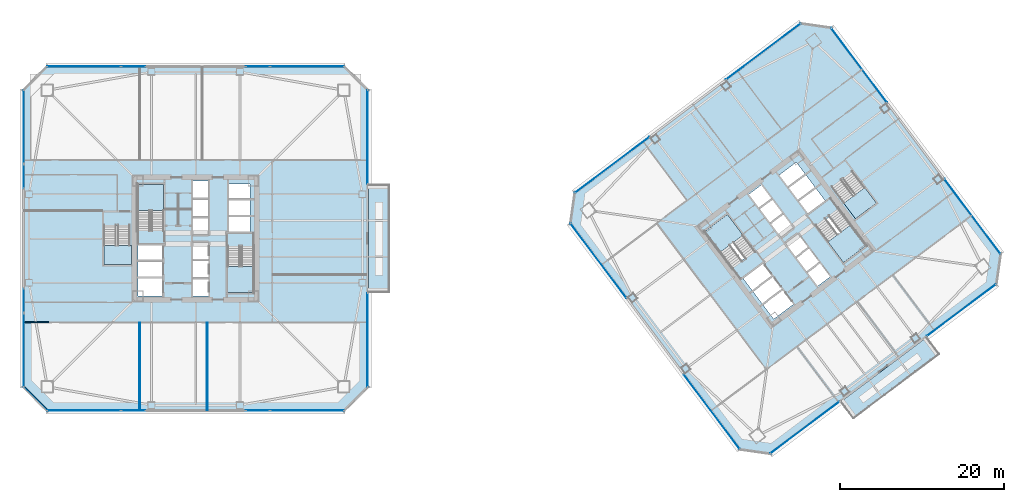
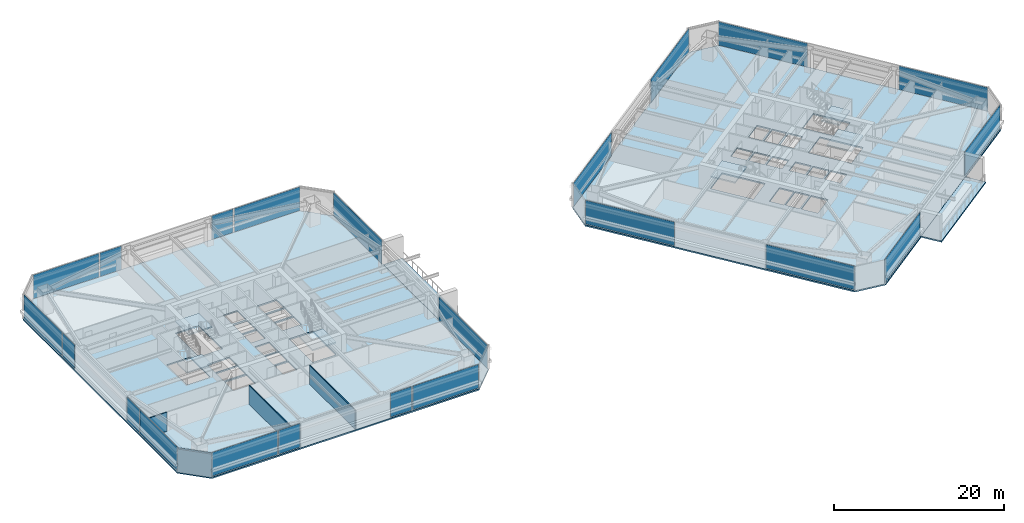
# One storey, part 33 of 44: 22 plates, 10 slabs, 4 walls, 28 elements without a shape of their own.
"""IFC4 building model written with IfcOpenShell, lengths in metres."""

import ifcopenshell
import ifcopenshell.guid

model = None  # the IFC model being written
_history = None  # IfcOwnerHistory: only IFC2X3 demands one
_inside = {}  # id of a spatial element -> (the spatial element, [elements in it])
_under = {}  # id of a project, library or spatial element -> (it, [spatial elements below it])
_declared = {}  # id of a project -> (the project, [libraries it declares])
_typed = {}  # id of a type object -> (the type object, [elements of that type])
_made_of = {}  # id of a material, layer set ... -> (it, [elements and type objects made of it])


def new_model(schema):
    """Start an empty IFC model of exactly this schema.

    Asked for "IFC4X3", IfcOpenShell would pick the latest addendum, in which some entities
    have other attributes; the version numbers below select the first issue.
    IFC2X3 requires an IfcOwnerHistory on every rooted entity: one is made here for all.
    """
    global model, _history
    if schema == "IFC4X3":
        model = ifcopenshell.file(schema_version=(4, 3, 0, 0))
    else:
        model = ifcopenshell.file(schema=schema)
    _inside.clear()
    _under.clear()
    _declared.clear()
    _typed.clear()
    _made_of.clear()
    _history = None
    if model.schema == "IFC2X3":
        org = make("IfcOrganization", Name="unknown")
        user = make(
            "IfcPersonAndOrganization",
            ThePerson=make("IfcPerson", FamilyName="unknown"),
            TheOrganization=org,
        )
        app = make(
            "IfcApplication",
            ApplicationDeveloper=org,
            Version="unknown",
            ApplicationFullName="unknown",
            ApplicationIdentifier="unknown",
        )
        _history = make(
            "IfcOwnerHistory",
            OwningUser=user,
            OwningApplication=app,
            ChangeAction="ADDED",
            CreationDate=0,
        )
    return model


def make(cls, **values):
    """One entity of the class cls with the attributes given. An attribute that is None is left unset."""
    return model.create_entity(
        cls, **{name: value for name, value in values.items() if value is not None}
    )


def rooted(cls, **values):
    """An entity with a GlobalId (a new one), such as an element, a storey or a relation."""
    return make(cls, GlobalId=ifcopenshell.guid.new(), OwnerHistory=_history, **values)


def si_unit(unit_type, name, prefix=None):
    """IfcSIUnit, for example si_unit("LENGTHUNIT", "METRE", prefix="MILLI")."""
    return make("IfcSIUnit", UnitType=unit_type, Prefix=prefix, Name=name)


def assignment(units):
    """IfcUnitAssignment: the units of a project."""
    return None if units is None else make("IfcUnitAssignment", Units=units)


def point(xyz):
    """IfcCartesianPoint."""
    return None if xyz is None else make("IfcCartesianPoint", Coordinates=xyz)


def direction(xyz):
    """IfcDirection."""
    return None if xyz is None else make("IfcDirection", DirectionRatios=xyz)


def frame(location, z_axis=None, x_axis=None):
    """IfcAxis2Placement3D, a coordinate frame: its origin and axes. An axis left out is left unset."""
    return make(
        "IfcAxis2Placement3D",
        Location=point(location),
        Axis=direction(z_axis),
        RefDirection=direction(x_axis),
    )


def frame_2d(location, x_axis=None):
    """IfcAxis2Placement2D, a coordinate frame in the plane: its origin and x axis."""
    return make(
        "IfcAxis2Placement2D", Location=point(location), RefDirection=direction(x_axis)
    )


def origin():
    """The frame at (0, 0, 0) with its axes left unset."""
    return frame((0.0, 0.0, 0.0))


def origin_2d():
    """The frame at (0, 0) in the plane with its x axis left unset."""
    return frame_2d((0.0, 0.0))


def place(relative_to, where):
    """IfcLocalPlacement: puts the frame where relative to a parent placement (None: the world)."""
    return make(
        "IfcLocalPlacement", PlacementRelTo=relative_to, RelativePlacement=where
    )


def context(
    kind, dimensions, precision=None, world=None, true_north=None, identifier=None
):
    """IfcGeometricRepresentationContext, for example the 3D "Model" context."""
    return make(
        "IfcGeometricRepresentationContext",
        ContextIdentifier=identifier,
        ContextType=kind,
        CoordinateSpaceDimension=dimensions,
        Precision=precision,
        WorldCoordinateSystem=world,
        TrueNorth=true_north,
    )


def subcontext(parent, identifier, kind, view, scale=None):
    """IfcGeometricRepresentationSubContext, for example "Body" below "Model"."""
    return make(
        "IfcGeometricRepresentationSubContext",
        ContextIdentifier=identifier,
        ContextType=kind,
        ParentContext=parent,
        TargetScale=scale,
        TargetView=view,
    )


def project(units=None, contexts=None):
    """IfcProject with its units and contexts."""
    return rooted(
        "IfcProject",
        Name="project",
        RepresentationContexts=contexts,
        UnitsInContext=assignment(units),
    )


def spatial(cls, under=None, at=None, **own):
    """A site, building, storey or space (cls), placed at a placement, below another one or the project."""
    s = rooted(cls, ObjectPlacement=at, **own)
    if under is not None:
        _under.setdefault(under.id(), (under, []))[1].append(s)
    return s


def polyline(points):
    """IfcPolyline through the points."""
    return make("IfcPolyline", Points=[point(p) for p in points])


def profile(cls, at=None, kind="AREA", **sizes):
    """A parametric profile (cls). Its sizes go by their IFC names, for example OverallWidth=200.0."""
    return make(cls, ProfileType=kind, Position=at, **sizes)


def rectangle(**sizes):
    """IfcRectangleProfileDef."""
    return profile("IfcRectangleProfileDef", **sizes)


def outline(outer, holes=None, kind="AREA"):
    """IfcArbitraryClosedProfileDef: a profile drawn as a closed curve; with holes, ...WithVoids."""
    if holes is None:
        return make("IfcArbitraryClosedProfileDef", ProfileType=kind, OuterCurve=outer)
    return make(
        "IfcArbitraryProfileDefWithVoids",
        ProfileType=kind,
        OuterCurve=outer,
        InnerCurves=holes,
    )


def extrude(swept, where, along, depth):
    """IfcExtrudedAreaSolid: the profile swept, set in the frame where, extruded along a direction by depth."""
    return make(
        "IfcExtrudedAreaSolid",
        SweptArea=swept,
        Position=where,
        ExtrudedDirection=direction(along),
        Depth=depth,
    )


def shape(context_of_items, identifier, shape_type, items):
    """IfcShapeRepresentation: the items that make up one representation, for example the "Body"."""
    return make(
        "IfcShapeRepresentation",
        ContextOfItems=context_of_items,
        RepresentationIdentifier=identifier,
        RepresentationType=shape_type,
        Items=items,
    )


def material(Name=None, Category=None):
    """IfcMaterial."""
    return make("IfcMaterial", Name=Name, Category=Category)


def layer(
    of_material, thickness, ventilated=None, Name=None, Category=None, Priority=None
):
    """IfcMaterialLayer: one layer of a wall or slab, of a material (None: an air gap)."""
    return make(
        "IfcMaterialLayer",
        Material=of_material,
        LayerThickness=thickness,
        IsVentilated=ventilated,
        Name=Name,
        Category=Category,
        Priority=Priority,
    )


def layer_set(layers, Name=None):
    """IfcMaterialLayerSet."""
    return make("IfcMaterialLayerSet", MaterialLayers=layers, LayerSetName=Name)


def made_of(thing, what):
    """Note that an element or type object is made of a material, layer set ...; save() writes the relation."""
    if what is not None:
        _made_of.setdefault(what.id(), (what, []))[1].append(thing)
    return thing


def type_object(cls, material=None, **own):
    """A type object (cls), such as IfcWallType, which elements share."""
    return made_of(rooted(cls, **own), material)


def element(
    cls,
    number,
    at=None,
    inside=None,
    cuts=None,
    type_object=None,
    material=None,
    context=None,
    identifier="Body",
    shape_type=None,
    held_by="IfcProductDefinitionShape",
    body=None,
    shapes=None,
    **own,
):
    """One element of the class cls, such as IfcWall. Its Tag is "e" and its number.

    at: its placement. inside: the storey or other place that contains it. cuts: it is an
    opening in that element (IfcRelVoidsElement). A single representation is given by context,
    identifier, shape_type and body (its items); several are given by shapes. held_by: the class
    of the entity that holds the representations. save() writes the other relations.
    """
    e = rooted(cls, Tag="e%d" % number, ObjectPlacement=at, **own)
    if body is not None:
        shapes = [shape(context, identifier, shape_type, body)]
    if shapes is not None:
        e.Representation = make(held_by, Representations=shapes)
    if inside is not None:
        _inside.setdefault(inside.id(), (inside, []))[1].append(e)
    if cuts is not None:
        rooted(
            "IfcRelVoidsElement", RelatingBuildingElement=cuts, RelatedOpeningElement=e
        )
    if type_object is not None:
        _typed.setdefault(type_object.id(), (type_object, []))[1].append(e)
    return made_of(e, material)


def aggregate(whole, parts):
    """IfcRelAggregates: a whole, such as a stair, and the parts it consists of."""
    return rooted("IfcRelAggregates", RelatingObject=whole, RelatedObjects=parts)


def save(model, path):
    """Write the relations noted so far, then the file.

    IfcRelAggregates (storeys below a building ...), IfcRelContainedInSpatialStructure (elements
    in a storey), IfcRelDefinesByType, IfcRelAssociatesMaterial and IfcRelDeclares: one each for
    every whole, place, type object, material and project.
    """
    for whole, parts in _under.values():
        aggregate(whole, parts)
    for where, things in _inside.values():
        rooted(
            "IfcRelContainedInSpatialStructure",
            RelatedElements=things,
            RelatingStructure=where,
        )
    for kind, things in _typed.values():
        rooted("IfcRelDefinesByType", RelatedObjects=things, RelatingType=kind)
    for what, things in _made_of.values():
        rooted("IfcRelAssociatesMaterial", RelatedObjects=things, RelatingMaterial=what)
    for by, libraries in _declared.values():
        rooted("IfcRelDeclares", RelatingContext=by, RelatedDefinitions=libraries)
    model.write(path)


model = new_model("IFC4")

# Units and contexts
model_context = context("Model", 3, precision=1e-05, world=origin(), true_north=direction((0.0, 1.0)))
body_context = subcontext(model_context, "Body", "Model", "MODEL_VIEW")
ifc_project = project(units=[si_unit("LENGTHUNIT", "METRE"), si_unit("AREAUNIT", "SQUARE_METRE"), si_unit("VOLUMEUNIT", "CUBIC_METRE"), si_unit("PLANEANGLEUNIT", "RADIAN"), si_unit("MASSUNIT", "GRAM", prefix="KILO")], contexts=[model_context])

# Site, building, storey
site_placement = place(None, origin())
site = spatial("IfcSite", under=ifc_project, at=site_placement, CompositionType="ELEMENT")
building_placement = place(site_placement, origin())
building = spatial("IfcBuilding", under=site, at=building_placement, Name="Tashvorn Skyway Center", CompositionType="ELEMENT")
storey_placement = place(building_placement, frame((0.0, 0.0, 102.699951171875)))
storey = spatial("IfcBuildingStorey", under=building, at=storey_placement, Name="L27", CompositionType="ELEMENT", Elevation=102.699951171875)

# Curtain wall, plate
ifc_material_1 = material(Name="Thermally broken bronze-anodized aluminium 6063-T6", Category="aluminium")
curtain_wall_type = type_object("IfcCurtainWallType", Name="CW-CW-Z2", PredefinedType="NOTDEFINED", material=ifc_material_1)
curtain_wall_1_placement = place(storey_placement, origin())
curtain_wall_1 = element("IfcCurtainWall", 1, at=curtain_wall_1_placement, inside=storey, type_object=curtain_wall_type, Name="Tower 1 L27 South Unitised Curtain Wall Glazing Group 1", PredefinedType="NOTDEFINED")
ifc_material_2 = material(Name="Low-E solar-control double insulating safety glass", Category="glass")
ifc_layer_1 = layer(ifc_material_2, 0.0439453125)
ifc_layer_set_1 = layer_set([ifc_layer_1], Name="Low-E solar-control double insulating safety glass")
plate_type = type_object("IfcPlateType", Name="CWP-CW-Z2", PredefinedType="CURTAIN_PANEL", material=ifc_layer_set_1)
plate_1_placement = place(storey_placement, frame((55.635009765625, 11.02001953125, 0.080078125), z_axis=(0.0, 0.0, 1.0), x_axis=(-1.0, 0.0, 0.0)))
plate_1 = element("IfcPlate", 2, at=plate_1_placement, type_object=plate_type, Name="CW-Z2 panel 1.1", PredefinedType="CURTAIN_PANEL", context=body_context, shape_type="SweptSolid", body=[
    extrude(rectangle(XDim=8.929931640625, YDim=0.0439453125, at=origin_2d()), origin(), (0.0, 0.0, 1.0), 3.389892578125),
])
aggregate(curtain_wall_1, [plate_1])

curtain_wall_2_placement = place(storey_placement, origin())
curtain_wall_2 = element("IfcCurtainWall", 3, at=curtain_wall_2_placement, inside=storey, type_object=curtain_wall_type, Name="Tower 1 L27 South Unitised Curtain Wall Glazing Group 2", PredefinedType="NOTDEFINED")
plate_2_placement = place(storey_placement, frame((49.574951171875, 11.02001953125, 0.080078125), z_axis=(0.0, 0.0, 1.0), x_axis=(-1.0, 0.0, 0.0)))
plate_2 = element("IfcPlate", 4, at=plate_2_placement, type_object=plate_type, Name="CW-Z2 panel 1.1", PredefinedType="CURTAIN_PANEL", context=body_context, shape_type="SweptSolid", body=[
    extrude(rectangle(XDim=2.8701171875, YDim=0.0439453125, at=origin_2d()), origin(), (0.0, 0.0, 1.0), 3.389892578125),
])
aggregate(curtain_wall_2, [plate_2])

curtain_wall_3_placement = place(storey_placement, origin())
curtain_wall_3 = element("IfcCurtainWall", 5, at=curtain_wall_3_placement, inside=storey, type_object=curtain_wall_type, Name="Tower 1 L27 South Unitised Curtain Wall Glazing Group 3", PredefinedType="NOTDEFINED")
plate_3_placement = place(storey_placement, frame((34.425048828125, 11.02001953125, 0.080078125), z_axis=(0.0, 0.0, 1.0), x_axis=(-1.0, 0.0, 0.0)))
plate_3 = element("IfcPlate", 6, at=plate_3_placement, type_object=plate_type, Name="CW-Z2 panel 1.1", PredefinedType="CURTAIN_PANEL", context=body_context, shape_type="SweptSolid", body=[
    extrude(rectangle(XDim=2.8701171875, YDim=0.0439453125, at=origin_2d()), origin(), (0.0, 0.0, 1.0), 3.389892578125),
])
aggregate(curtain_wall_3, [plate_3])

curtain_wall_4_placement = place(storey_placement, origin())
curtain_wall_4 = element("IfcCurtainWall", 7, at=curtain_wall_4_placement, inside=storey, type_object=curtain_wall_type, Name="Tower 1 L27 South Unitised Curtain Wall Glazing Group 4", PredefinedType="NOTDEFINED")
plate_4_placement = place(storey_placement, frame((28.364990234375, 11.02001953125, 0.080078125), z_axis=(0.0, 0.0, 1.0), x_axis=(-1.0, 0.0, 0.0)))
plate_4 = element("IfcPlate", 8, at=plate_4_placement, type_object=plate_type, Name="CW-Z2 panel 1.1", PredefinedType="CURTAIN_PANEL", context=body_context, shape_type="SweptSolid", body=[
    extrude(rectangle(XDim=8.929931640625, YDim=0.0439453125, at=origin_2d()), origin(), (0.0, 0.0, 1.0), 3.389892578125),
])
aggregate(curtain_wall_4, [plate_4])

curtain_wall_5_placement = place(storey_placement, origin())
curtain_wall_5 = element("IfcCurtainWall", 9, at=curtain_wall_5_placement, inside=storey, type_object=curtain_wall_type, Name="Tower 1 L27 West Unitised Curtain Wall Glazing Group 1", PredefinedType="NOTDEFINED")
plate_5_placement = place(storey_placement, frame((21.02001953125, 18.364990234375, 0.080078125), z_axis=(0.0, 0.0, 1.0), x_axis=(0.0, 1.0, 0.0)))
plate_5 = element("IfcPlate", 10, at=plate_5_placement, type_object=plate_type, Name="CW-Z2 panel 1.1", PredefinedType="CURTAIN_PANEL", context=body_context, shape_type="SweptSolid", body=[
    extrude(rectangle(XDim=8.929931640625, YDim=0.0439453125, at=origin_2d()), origin(), (0.0, 0.0, 1.0), 3.389892578125),
])
aggregate(curtain_wall_5, [plate_5])

curtain_wall_6_placement = place(storey_placement, origin())
curtain_wall_6 = element("IfcCurtainWall", 11, at=curtain_wall_6_placement, inside=storey, type_object=curtain_wall_type, Name="Tower 1 L27 West Unitised Curtain Wall Glazing Group 2", PredefinedType="NOTDEFINED")
plate_6_placement = place(storey_placement, frame((21.02001953125, 24.425048828125, 0.080078125), z_axis=(0.0, 0.0, 1.0), x_axis=(0.0, 1.0, 0.0)))
plate_6 = element("IfcPlate", 12, at=plate_6_placement, type_object=plate_type, Name="CW-Z2 panel 1.1", PredefinedType="CURTAIN_PANEL", context=body_context, shape_type="SweptSolid", body=[
    extrude(rectangle(XDim=2.8701171875, YDim=0.0439453125, at=origin_2d()), origin(), (0.0, 0.0, 1.0), 3.389892578125),
])
aggregate(curtain_wall_6, [plate_6])

curtain_wall_7_placement = place(storey_placement, origin())
curtain_wall_7 = element("IfcCurtainWall", 13, at=curtain_wall_7_placement, inside=storey, type_object=curtain_wall_type, Name="Tower 1 L27 West Unitised Curtain Wall Glazing Group 3", PredefinedType="NOTDEFINED")
plate_7_placement = place(storey_placement, frame((21.02001953125, 39.574951171875, 0.080078125), z_axis=(0.0, 0.0, 1.0), x_axis=(0.0, 1.0, 0.0)))
plate_7 = element("IfcPlate", 14, at=plate_7_placement, type_object=plate_type, Name="CW-Z2 panel 1.1", PredefinedType="CURTAIN_PANEL", context=body_context, shape_type="SweptSolid", body=[
    extrude(rectangle(XDim=2.8701171875, YDim=0.0439453125, at=origin_2d()), origin(), (0.0, 0.0, 1.0), 3.389892578125),
])
aggregate(curtain_wall_7, [plate_7])

curtain_wall_8_placement = place(storey_placement, origin())
curtain_wall_8 = element("IfcCurtainWall", 15, at=curtain_wall_8_placement, inside=storey, type_object=curtain_wall_type, Name="Tower 1 L27 West Unitised Curtain Wall Glazing Group 4", PredefinedType="NOTDEFINED")
plate_8_placement = place(storey_placement, frame((21.02001953125, 45.635009765625, 0.080078125), z_axis=(0.0, 0.0, 1.0), x_axis=(0.0, 1.0, 0.0)))
plate_8 = element("IfcPlate", 16, at=plate_8_placement, type_object=plate_type, Name="CW-Z2 panel 1.1", PredefinedType="CURTAIN_PANEL", context=body_context, shape_type="SweptSolid", body=[
    extrude(rectangle(XDim=8.929931640625, YDim=0.0439453125, at=origin_2d()), origin(), (0.0, 0.0, 1.0), 3.389892578125),
])
aggregate(curtain_wall_8, [plate_8])

curtain_wall_9_placement = place(storey_placement, origin())
curtain_wall_9 = element("IfcCurtainWall", 17, at=curtain_wall_9_placement, inside=storey, type_object=curtain_wall_type, Name="Tower 1 L27 North Unitised Curtain Wall Glazing Group 1", PredefinedType="NOTDEFINED")
plate_9_placement = place(storey_placement, frame((28.364990234375, 52.97998046875, 0.080078125), z_axis=(0.0, 0.0, 1.0), x_axis=(1.0, 0.0, 0.0)))
plate_9 = element("IfcPlate", 18, at=plate_9_placement, type_object=plate_type, Name="CW-Z2 panel 1.1", PredefinedType="CURTAIN_PANEL", context=body_context, shape_type="SweptSolid", body=[
    extrude(rectangle(XDim=8.929931640625, YDim=0.0439453125, at=origin_2d()), origin(), (0.0, 0.0, 1.0), 3.389892578125),
])
aggregate(curtain_wall_9, [plate_9])

curtain_wall_10_placement = place(storey_placement, origin())
curtain_wall_10 = element("IfcCurtainWall", 19, at=curtain_wall_10_placement, inside=storey, type_object=curtain_wall_type, Name="Tower 1 L27 North Unitised Curtain Wall Glazing Group 2", PredefinedType="NOTDEFINED")
plate_10_placement = place(storey_placement, frame((34.425048828125, 52.97998046875, 0.080078125), z_axis=(0.0, 0.0, 1.0), x_axis=(1.0, 0.0, 0.0)))
plate_10 = element("IfcPlate", 20, at=plate_10_placement, type_object=plate_type, Name="CW-Z2 panel 1.1", PredefinedType="CURTAIN_PANEL", context=body_context, shape_type="SweptSolid", body=[
    extrude(rectangle(XDim=2.8701171875, YDim=0.0439453125, at=origin_2d()), origin(), (0.0, 0.0, 1.0), 3.389892578125),
])
aggregate(curtain_wall_10, [plate_10])

curtain_wall_11_placement = place(storey_placement, origin())
curtain_wall_11 = element("IfcCurtainWall", 21, at=curtain_wall_11_placement, inside=storey, type_object=curtain_wall_type, Name="Tower 1 L27 North Unitised Curtain Wall Glazing Group 3", PredefinedType="NOTDEFINED")
plate_11_placement = place(storey_placement, frame((49.574951171875, 52.97998046875, 0.080078125), z_axis=(0.0, 0.0, 1.0), x_axis=(1.0, 0.0, 0.0)))
plate_11 = element("IfcPlate", 22, at=plate_11_placement, type_object=plate_type, Name="CW-Z2 panel 1.1", PredefinedType="CURTAIN_PANEL", context=body_context, shape_type="SweptSolid", body=[
    extrude(rectangle(XDim=2.8701171875, YDim=0.0439453125, at=origin_2d()), origin(), (0.0, 0.0, 1.0), 3.389892578125),
])
aggregate(curtain_wall_11, [plate_11])

curtain_wall_12_placement = place(storey_placement, origin())
curtain_wall_12 = element("IfcCurtainWall", 23, at=curtain_wall_12_placement, inside=storey, type_object=curtain_wall_type, Name="Tower 1 L27 North Unitised Curtain Wall Glazing Group 4", PredefinedType="NOTDEFINED")
plate_12_placement = place(storey_placement, frame((55.635009765625, 52.97998046875, 0.080078125), z_axis=(0.0, 0.0, 1.0), x_axis=(1.0, 0.0, 0.0)))
plate_12 = element("IfcPlate", 24, at=plate_12_placement, type_object=plate_type, Name="CW-Z2 panel 1.1", PredefinedType="CURTAIN_PANEL", context=body_context, shape_type="SweptSolid", body=[
    extrude(rectangle(XDim=8.929931640625, YDim=0.0439453125, at=origin_2d()), origin(), (0.0, 0.0, 1.0), 3.389892578125),
])
aggregate(curtain_wall_12, [plate_12])

curtain_wall_13_placement = place(storey_placement, origin())
curtain_wall_13 = element("IfcCurtainWall", 25, at=curtain_wall_13_placement, inside=storey, type_object=curtain_wall_type, Name="Tower 1 L27 East Curtain Wall L", PredefinedType="NOTDEFINED")
plate_13_placement = place(storey_placement, frame((62.97998046875, 44.389892578125, 0.080078125), z_axis=(0.0, 0.0, 1.0), x_axis=(0.0, -1.0, 0.0)))
plate_13 = element("IfcPlate", 26, at=plate_13_placement, type_object=plate_type, Name="CW-Z2 panel 1.1", PredefinedType="CURTAIN_PANEL", context=body_context, shape_type="SweptSolid", body=[
    extrude(rectangle(XDim=11.419921875, YDim=0.0439453125, at=origin_2d()), origin(), (0.0, 0.0, 1.0), 3.389892578125),
])
aggregate(curtain_wall_13, [plate_13])

curtain_wall_14_placement = place(storey_placement, origin())
curtain_wall_14 = element("IfcCurtainWall", 27, at=curtain_wall_14_placement, inside=storey, type_object=curtain_wall_type, Name="Tower 1 L27 East Curtain Wall R", PredefinedType="NOTDEFINED")
plate_14_placement = place(storey_placement, frame((62.97998046875, 19.610107421875, 0.080078125), z_axis=(0.0, 0.0, 1.0), x_axis=(0.0, -1.0, 0.0)))
plate_14 = element("IfcPlate", 28, at=plate_14_placement, type_object=plate_type, Name="CW-Z2 panel 1.1", PredefinedType="CURTAIN_PANEL", context=body_context, shape_type="SweptSolid", body=[
    extrude(rectangle(XDim=11.419921875, YDim=0.0439453125, at=origin_2d()), origin(), (0.0, 0.0, 1.0), 3.389892578125),
])
aggregate(curtain_wall_14, [plate_14])

curtain_wall_15_placement = place(storey_placement, origin())
curtain_wall_15 = element("IfcCurtainWall", 29, at=curtain_wall_15_placement, inside=storey, type_object=curtain_wall_type, Name="Tower 2 L27 South Curtain Wall L", PredefinedType="NOTDEFINED")
plate_15_placement = place(storey_placement, frame((135.47998046875, 23.260009765625, 0.080078125), z_axis=(0.0, 0.0, 1.0), x_axis=(-0.799999999998, -0.600000000002, 0.0)))
plate_15 = element("IfcPlate", 30, at=plate_15_placement, type_object=plate_type, Name="CW-Z2 panel 1.1", PredefinedType="CURTAIN_PANEL", context=body_context, shape_type="SweptSolid", body=[
    extrude(rectangle(XDim=10.52001953125, YDim=0.0439453125, at=origin_2d()), origin(), (0.0, 0.0, 1.0), 3.389892578125),
])
aggregate(curtain_wall_15, [plate_15])

curtain_wall_16_placement = place(storey_placement, origin())
curtain_wall_16 = element("IfcCurtainWall", 31, at=curtain_wall_16_placement, inside=storey, type_object=curtain_wall_type, Name="Tower 2 L27 South Curtain Wall R", PredefinedType="NOTDEFINED")
plate_16_placement = place(storey_placement, frame((116.3759765625, 8.931884765625, 0.080078125), z_axis=(0.0, 0.0, 1.0), x_axis=(-0.799999999998, -0.600000000002, 0.0)))
plate_16 = element("IfcPlate", 32, at=plate_16_placement, type_object=plate_type, Name="CW-Z2 panel 1.1", PredefinedType="CURTAIN_PANEL", context=body_context, shape_type="SweptSolid", body=[
    extrude(rectangle(XDim=10.52001953125, YDim=0.0439453125, at=origin_2d()), origin(), (0.0, 0.0, 1.0), 3.389892578125),
])
aggregate(curtain_wall_16, [plate_16])

curtain_wall_17_placement = place(storey_placement, origin())
curtain_wall_17 = element("IfcCurtainWall", 33, at=curtain_wall_17_placement, inside=storey, type_object=curtain_wall_type, Name="Tower 2 L27 West Unitised Curtain Wall Glazing Group 1", PredefinedType="NOTDEFINED")
plate_17_placement = place(storey_placement, frame((105.008056640625, 10.85595703125, 0.080078125), z_axis=(0.0, 0.0, 1.0), x_axis=(-0.600000000002, 0.799999999998, 0.0)))
plate_17 = element("IfcPlate", 34, at=plate_17_placement, type_object=plate_type, Name="CW-Z2 panel 1.1", PredefinedType="CURTAIN_PANEL", context=body_context, shape_type="SweptSolid", body=[
    extrude(rectangle(XDim=11.360107421875, YDim=0.0439453125, at=origin_2d()), origin(), (0.0, 0.0, 1.0), 3.389892578125),
])
aggregate(curtain_wall_17, [plate_17])

curtain_wall_18_placement = place(storey_placement, origin())
curtain_wall_18 = element("IfcCurtainWall", 35, at=curtain_wall_18_placement, inside=storey, type_object=curtain_wall_type, Name="Tower 2 L27 West Unitised Curtain Wall Glazing Group 2", PredefinedType="NOTDEFINED")
plate_18_placement = place(storey_placement, frame((91.18408203125, 29.2880859375, 0.080078125), z_axis=(0.0, 0.0, 1.0), x_axis=(-0.600000000002, 0.799999999998, 0.0)))
plate_18 = element("IfcPlate", 36, at=plate_18_placement, type_object=plate_type, Name="CW-Z2 panel 1.1", PredefinedType="CURTAIN_PANEL", context=body_context, shape_type="SweptSolid", body=[
    extrude(rectangle(XDim=11.360107421875, YDim=0.0439453125, at=origin_2d()), origin(), (0.0, 0.0, 1.0), 3.389892578125),
])
aggregate(curtain_wall_18, [plate_18])

curtain_wall_19_placement = place(storey_placement, origin())
curtain_wall_19 = element("IfcCurtainWall", 37, at=curtain_wall_19_placement, inside=storey, type_object=curtain_wall_type, Name="Tower 2 L27 North Unitised Curtain Wall Glazing Group 1", PredefinedType="NOTDEFINED")
plate_19_placement = place(storey_placement, frame((92.85595703125, 40.991943359375, 0.080078125), z_axis=(0.0, 0.0, 1.0), x_axis=(0.799999999998, 0.600000000002, 0.0)))
plate_19 = element("IfcPlate", 38, at=plate_19_placement, type_object=plate_type, Name="CW-Z2 panel 1.1", PredefinedType="CURTAIN_PANEL", context=body_context, shape_type="SweptSolid", body=[
    extrude(rectangle(XDim=11.360107421875, YDim=0.0439453125, at=origin_2d()), origin(), (0.0, 0.0, 1.0), 3.389892578125),
])
aggregate(curtain_wall_19, [plate_19])

curtain_wall_20_placement = place(storey_placement, origin())
curtain_wall_20 = element("IfcCurtainWall", 39, at=curtain_wall_20_placement, inside=storey, type_object=curtain_wall_type, Name="Tower 2 L27 North Unitised Curtain Wall Glazing Group 2", PredefinedType="NOTDEFINED")
plate_20_placement = place(storey_placement, frame((111.2880859375, 54.81591796875, 0.080078125), z_axis=(0.0, 0.0, 1.0), x_axis=(0.799999999998, 0.600000000002, 0.0)))
plate_20 = element("IfcPlate", 40, at=plate_20_placement, type_object=plate_type, Name="CW-Z2 panel 1.1", PredefinedType="CURTAIN_PANEL", context=body_context, shape_type="SweptSolid", body=[
    extrude(rectangle(XDim=11.360107421875, YDim=0.0439453125, at=origin_2d()), origin(), (0.0, 0.0, 1.0), 3.389892578125),
])
aggregate(curtain_wall_20, [plate_20])

curtain_wall_21_placement = place(storey_placement, origin())
curtain_wall_21 = element("IfcCurtainWall", 41, at=curtain_wall_21_placement, inside=storey, type_object=curtain_wall_type, Name="Tower 2 L27 East Unitised Curtain Wall Glazing Group 1", PredefinedType="NOTDEFINED")
plate_21_placement = place(storey_placement, frame((122.991943359375, 53.14404296875, 0.080078125), z_axis=(0.0, 0.0, 1.0), x_axis=(0.600000000002, -0.799999999998, 0.0)))
plate_21 = element("IfcPlate", 42, at=plate_21_placement, type_object=plate_type, Name="CW-Z2 panel 1.1", PredefinedType="CURTAIN_PANEL", context=body_context, shape_type="SweptSolid", body=[
    extrude(rectangle(XDim=11.360107421875, YDim=0.0439453125, at=origin_2d()), origin(), (0.0, 0.0, 1.0), 3.389892578125),
])
aggregate(curtain_wall_21, [plate_21])

curtain_wall_22_placement = place(storey_placement, origin())
curtain_wall_22 = element("IfcCurtainWall", 43, at=curtain_wall_22_placement, inside=storey, type_object=curtain_wall_type, Name="Tower 2 L27 East Unitised Curtain Wall Glazing Group 2", PredefinedType="NOTDEFINED")
plate_22_placement = place(storey_placement, frame((136.81591796875, 34.7119140625, 0.080078125), z_axis=(0.0, 0.0, 1.0), x_axis=(0.600000000002, -0.799999999998, 0.0)))
plate_22 = element("IfcPlate", 44, at=plate_22_placement, type_object=plate_type, Name="CW-Z2 panel 1.1", PredefinedType="CURTAIN_PANEL", context=body_context, shape_type="SweptSolid", body=[
    extrude(rectangle(XDim=11.360107421875, YDim=0.0439453125, at=origin_2d()), origin(), (0.0, 0.0, 1.0), 3.389892578125),
])
aggregate(curtain_wall_22, [plate_22])

# Slabs
ifc_material_3 = material(Name="Concrete C40/50", Category="concrete")
ifc_layer_2 = layer(ifc_material_3, 0.199951171875)
ifc_layer_set_2 = layer_set([ifc_layer_2], Name="Concrete C40/50")
slab_type_1 = type_object("IfcSlabType", Name="SLAB-FLR-200", PredefinedType="FLOOR", material=ifc_layer_set_2)
slab_1_placement = place(storey_placement, frame((0.0, 0.0, -0.199951171875)))
element("IfcSlab", 45, at=slab_1_placement, inside=storey, type_object=slab_type_1, Name="Tower 1 L27 Composite Floor Slab", PredefinedType="FLOOR", context=body_context, shape_type="SweptSolid", body=[
    extrude(outline(polyline([(23.89990234375, 10.89990234375), (60.10009765625, 10.89990234375), (63.10009765625, 13.89990234375), (63.10009765625, 50.10009765625), (60.10009765625, 53.10009765625), (23.89990234375, 53.10009765625), (20.89990234375, 50.10009765625), (20.89990234375, 13.89990234375), (23.89990234375, 10.89990234375)]), holes=[polyline([(38.10009765625, 33.080078125), (38.10009765625, 38.60009765625), (34.89990234375, 38.60009765625), (34.89990234375, 33.080078125), (38.10009765625, 33.080078125)]), polyline([(45.89990234375, 30.919921875), (45.89990234375, 25.39990234375), (49.10009765625, 25.39990234375), (49.10009765625, 30.919921875), (45.89990234375, 30.919921875)]), polyline([(30.800048828125, 33.52001953125), (30.800048828125, 28.800048828125), (34.0, 28.800048828125), (34.0, 33.52001953125), (30.800048828125, 33.52001953125)]), polyline([(34.949951171875, 29.35009765625), (37.949951171875, 29.35009765625), (37.949951171875, 31.199951171875), (34.949951171875, 31.199951171875), (34.949951171875, 29.35009765625)]), polyline([(34.949951171875, 27.35009765625), (37.949951171875, 27.35009765625), (37.949951171875, 29.199951171875), (34.949951171875, 29.199951171875), (34.949951171875, 27.35009765625)]), polyline([(34.949951171875, 25.0), (37.949951171875, 25.0), (37.949951171875, 27.14990234375), (34.949951171875, 27.14990234375), (34.949951171875, 25.0)]), polyline([(41.64990234375, 25.0), (43.550048828125, 25.0), (43.550048828125, 27.050048828125), (41.64990234375, 27.050048828125), (41.64990234375, 25.0)]), polyline([(41.64990234375, 27.25), (43.550048828125, 27.25), (43.550048828125, 29.300048828125), (41.64990234375, 29.300048828125), (41.64990234375, 27.25)]), polyline([(41.64990234375, 29.5), (43.550048828125, 29.5), (43.550048828125, 31.550048828125), (41.64990234375, 31.550048828125), (41.64990234375, 29.5)]), polyline([(41.64990234375, 32.449951171875), (43.550048828125, 32.449951171875), (43.550048828125, 34.5), (41.64990234375, 34.5), (41.64990234375, 32.449951171875)]), polyline([(41.64990234375, 34.699951171875), (43.550048828125, 34.699951171875), (43.550048828125, 36.75), (41.64990234375, 36.75), (41.64990234375, 34.699951171875)]), polyline([(41.64990234375, 36.949951171875), (43.550048828125, 36.949951171875), (43.550048828125, 39.0), (41.64990234375, 39.0), (41.64990234375, 36.949951171875)]), polyline([(46.050048828125, 32.800048828125), (48.64990234375, 32.800048828125), (48.64990234375, 34.64990234375), (46.050048828125, 34.64990234375), (46.050048828125, 32.800048828125)]), polyline([(46.050048828125, 34.85009765625), (48.64990234375, 34.85009765625), (48.64990234375, 36.699951171875), (46.050048828125, 36.699951171875), (46.050048828125, 34.85009765625)]), polyline([(46.050048828125, 36.89990234375), (48.64990234375, 36.89990234375), (48.64990234375, 38.64990234375), (46.050048828125, 38.64990234375), (46.050048828125, 36.89990234375)])]), origin(), (0.0, 0.0, 1.0), 0.199951171875),
])
slab_2_placement = place(storey_placement, frame((0.0, 0.0, -0.199951171875)))
element("IfcSlab", 46, at=slab_2_placement, inside=storey, type_object=slab_type_1, Name="Tower 2 L27 Composite Floor Slab", PredefinedType="FLOOR", context=body_context, shape_type="SweptSolid", body=[
    extrude(outline(polyline([(112.239990234375, 5.679931640625), (139.760009765625, 26.320068359375), (140.320068359375, 30.239990234375), (119.679931640625, 57.760009765625), (115.760009765625, 58.320068359375), (88.239990234375, 37.679931640625), (87.679931640625, 33.760009765625), (108.320068359375, 6.239990234375), (112.239990234375, 5.679931640625)]), holes=[polyline([(110.23193359375, 30.52392578125), (106.919921875, 34.93994140625), (104.135986328125, 32.85205078125), (107.447998046875, 28.43603515625), (110.23193359375, 30.52392578125)]), polyline([(117.76806640625, 33.47607421875), (121.080078125, 29.06005859375), (123.864013671875, 31.14794921875), (120.552001953125, 35.56396484375), (117.76806640625, 33.47607421875)]), polyline([(119.7119140625, 38.18408203125), (122.5439453125, 34.407958984375), (125.10400390625, 36.327880859375), (122.27197265625, 40.10400390625), (119.7119140625, 38.18408203125)]), polyline([(109.949951171875, 25.64990234375), (112.35009765625, 27.449951171875), (111.239990234375, 28.929931640625), (108.840087890625, 27.1298828125), (109.949951171875, 25.64990234375)]), polyline([(111.14990234375, 24.050048828125), (113.550048828125, 25.85009765625), (112.43994140625, 27.330078125), (110.0400390625, 25.530029296875), (111.14990234375, 24.050048828125)]), polyline([(112.56005859375, 22.169921875), (114.9599609375, 23.969970703125), (113.669921875, 25.68994140625), (111.27001953125, 23.889892578125), (112.56005859375, 22.169921875)]), polyline([(117.919921875, 26.18994140625), (119.43994140625, 27.330078125), (118.2099609375, 28.969970703125), (116.68994140625, 27.830078125), (117.919921875, 26.18994140625)]), polyline([(116.570068359375, 27.989990234375), (118.090087890625, 29.1298828125), (116.860107421875, 30.77001953125), (115.340087890625, 29.6298828125), (116.570068359375, 27.989990234375)]), polyline([(115.219970703125, 29.7900390625), (116.739990234375, 30.929931640625), (115.510009765625, 32.570068359375), (113.989990234375, 31.429931640625), (115.219970703125, 29.7900390625)]), polyline([(113.449951171875, 32.14990234375), (114.969970703125, 33.2900390625), (113.739990234375, 34.929931640625), (112.219970703125, 33.7900390625), (113.449951171875, 32.14990234375)]), polyline([(112.10009765625, 33.949951171875), (113.6201171875, 35.090087890625), (112.389892578125, 36.72998046875), (110.8701171875, 35.590087890625), (112.10009765625, 33.949951171875)]), polyline([(110.75, 35.75), (112.27001953125, 36.889892578125), (111.0400390625, 38.530029296875), (109.52001953125, 37.389892578125), (110.75, 35.75)]), polyline([(116.760009765625, 35.070068359375), (118.840087890625, 36.6298828125), (117.72998046875, 38.110107421875), (115.64990234375, 36.550048828125), (116.760009765625, 35.070068359375)]), polyline([(115.530029296875, 36.7099609375), (117.610107421875, 38.27001953125), (116.5, 39.75), (114.419921875, 38.18994140625), (115.530029296875, 36.7099609375)]), polyline([(114.300048828125, 38.35009765625), (116.3798828125, 39.909912109375), (115.330078125, 41.31005859375), (113.25, 39.75), (114.300048828125, 38.35009765625)])]), origin(), (0.0, 0.0, 1.0), 0.199951171875),
])

# Stair, slab
stair_type = type_object("IfcStairType", Name="STAIR-CORE-1500", PredefinedType="HALF_TURN_STAIR", material=ifc_material_3)
stair_1_placement = place(storey_placement, origin())
stair_1 = element("IfcStair", 47, at=stair_1_placement, inside=storey, type_object=stair_type, Name="L27 Tower 1 Exit Stair 1", PredefinedType="HALF_TURN_STAIR")
ifc_layer_3 = layer(ifc_material_3, 0.199951171875)
ifc_layer_set_3 = layer_set([ifc_layer_3], Name="Concrete C40/50")
slab_type_2 = type_object("IfcSlabType", Name="SLAB-LAND-200", PredefinedType="LANDING", material=ifc_layer_set_3)
slab_3_placement = place(storey_placement, frame((0.0, 0.0, 1.574951171875)))
slab_3 = element("IfcSlab", 48, at=slab_3_placement, type_object=slab_type_2, Name="ST-T1-1 landing 1", PredefinedType="LANDING", context=body_context, shape_type="SweptSolid", body=[
    extrude(outline(polyline([(38.10009765625, 35.43994140625), (38.10009765625, 38.60009765625), (34.89990234375, 38.60009765625), (34.89990234375, 35.43994140625), (38.10009765625, 35.43994140625)])), origin(), (0.0, 0.0, 1.0), 0.2001953125),
])
aggregate(stair_1, [slab_3])

stair_2_placement = place(storey_placement, origin())
stair_2 = element("IfcStair", 49, at=stair_2_placement, inside=storey, type_object=stair_type, Name="L27 Tower 1 Exit Stair 2", PredefinedType="HALF_TURN_STAIR")
slab_4_placement = place(storey_placement, frame((0.0, 0.0, 1.574951171875)))
slab_4 = element("IfcSlab", 50, at=slab_4_placement, type_object=slab_type_2, Name="ST-T1-2 landing 1", PredefinedType="LANDING", context=body_context, shape_type="SweptSolid", body=[
    extrude(outline(polyline([(45.89990234375, 28.56005859375), (45.89990234375, 25.39990234375), (49.10009765625, 25.39990234375), (49.10009765625, 28.56005859375), (45.89990234375, 28.56005859375)])), origin(), (0.0, 0.0, 1.0), 0.2001953125),
])
aggregate(stair_2, [slab_4])

stair_3_placement = place(storey_placement, origin())
stair_3 = element("IfcStair", 51, at=stair_3_placement, inside=storey, type_object=stair_type, Name="L27 Tower 2 Exit Stair 1", PredefinedType="HALF_TURN_STAIR")
slab_5_placement = place(storey_placement, frame((0.0, 0.0, 1.574951171875)))
slab_5 = element("IfcSlab", 52, at=slab_5_placement, type_object=slab_type_2, Name="ST-T2-1 landing 1", PredefinedType="LANDING", context=body_context, shape_type="SweptSolid", body=[
    extrude(outline(polyline([(108.82080078125, 32.405517578125), (106.919921875, 34.93994140625), (104.135986328125, 32.85205078125), (106.036865234375, 30.317626953125), (108.82080078125, 32.405517578125)])), origin(), (0.0, 0.0, 1.0), 0.2001953125),
])
aggregate(stair_3, [slab_5])

stair_4_placement = place(storey_placement, origin())
stair_4 = element("IfcStair", 53, at=stair_4_placement, inside=storey, type_object=stair_type, Name="L27 Tower 2 Exit Stair 2", PredefinedType="HALF_TURN_STAIR")
slab_6_placement = place(storey_placement, frame((0.0, 0.0, 1.574951171875)))
slab_6 = element("IfcSlab", 54, at=slab_6_placement, type_object=slab_type_2, Name="ST-T2-2 landing 1", PredefinedType="LANDING", context=body_context, shape_type="SweptSolid", body=[
    extrude(outline(polyline([(119.17919921875, 31.594482421875), (121.080078125, 29.06005859375), (123.864013671875, 31.14794921875), (121.963134765625, 33.682373046875), (119.17919921875, 31.594482421875)])), origin(), (0.0, 0.0, 1.0), 0.2001953125),
])
aggregate(stair_4, [slab_6])

stair_5_placement = place(storey_placement, origin())
stair_5 = element("IfcStair", 55, at=stair_5_placement, inside=storey, type_object=stair_type, Name="L27 Tower 1 Exit Stair 3", PredefinedType="HALF_TURN_STAIR")
slab_7_placement = place(storey_placement, frame((0.0, 0.0, 1.574951171875)))
slab_7 = element("IfcSlab", 56, at=slab_7_placement, type_object=slab_type_2, Name="ST-T1-3 landing 1", PredefinedType="LANDING", context=body_context, shape_type="SweptSolid", body=[
    extrude(outline(polyline([(30.800048828125, 31.159912109375), (30.800048828125, 28.800048828125), (34.199951171875, 28.800048828125), (34.199951171875, 31.159912109375), (30.800048828125, 31.159912109375)])), origin(), (0.0, 0.0, 1.0), 0.2001953125),
])
aggregate(stair_5, [slab_7])

stair_6_placement = place(storey_placement, origin())
stair_6 = element("IfcStair", 57, at=stair_6_placement, inside=storey, type_object=stair_type, Name="L27 Tower 2 Exit Stair 3", PredefinedType="HALF_TURN_STAIR")
slab_8_placement = place(storey_placement, frame((0.0, 0.0, 1.574951171875)))
slab_8 = element("IfcSlab", 58, at=slab_8_placement, type_object=slab_type_2, Name="ST-T2-3 landing 1", PredefinedType="LANDING", context=body_context, shape_type="SweptSolid", body=[
    extrude(outline(polyline([(121.123291015625, 36.302490234375), (122.5439453125, 34.407958984375), (125.10400390625, 36.327880859375), (123.68310546875, 38.222412109375), (121.123291015625, 36.302490234375)])), origin(), (0.0, 0.0, 1.0), 0.2001953125),
])
aggregate(stair_6, [slab_8])

# Slabs
ifc_layer_4 = layer(ifc_material_3, 0.179931640625)
ifc_layer_set_4 = layer_set([ifc_layer_4], Name="Concrete C40/50")
slab_type_3 = type_object("IfcSlabType", Name="SLAB-TERR-200", PredefinedType="FLOOR", material=ifc_layer_set_4)
slab_9_placement = place(storey_placement, frame((0.0, 0.0, -0.199951171875)))
element("IfcSlab", 59, at=slab_9_placement, inside=storey, type_object=slab_type_3, Name="Tower 1 L27 Sky Garden Slab", PredefinedType="FLOOR", context=body_context, shape_type="SweptSolid", body=[
    extrude(outline(polyline([(63.090087890625, 25.39990234375), (65.699951171875, 25.39990234375), (65.699951171875, 38.60009765625), (63.090087890625, 38.60009765625), (63.090087890625, 25.39990234375)])), origin(), (0.0, 0.0, 1.0), 0.199951171875),
])
slab_10_placement = place(storey_placement, frame((0.0, 0.0, -0.199951171875)))
element("IfcSlab", 60, at=slab_10_placement, inside=storey, type_object=slab_type_3, Name="Tower 2 L27 Sky Garden Slab", PredefinedType="FLOOR", context=body_context, shape_type="SweptSolid", body=[
    extrude(outline(polyline([(122.280029296875, 9.9599609375), (132.840087890625, 17.8798828125), (131.27392578125, 19.968017578125), (120.714111328125, 12.048095703125), (122.280029296875, 9.9599609375)])), origin(), (0.0, 0.0, 1.0), 0.199951171875),
])

# Walls
ifc_material_4 = material(Name="Precast concrete C40/50", Category="concrete")
ifc_layer_5 = layer(ifc_material_4, 0.280029296875)
ifc_layer_set_5 = layer_set([ifc_layer_5], Name="Precast concrete C40/50")
wall_type_1 = type_object("IfcWallType", Name="WALL-EXT-280", PredefinedType="SOLIDWALL", material=ifc_layer_set_5)
wall_1_placement = place(storey_placement, frame((23.89990234375, 11.0, 0.0), z_axis=(0.0, 0.0, 1.0), x_axis=(-0.707106781187, 0.707106781187, 0.0)))
element("IfcWall", 61, at=wall_1_placement, inside=storey, type_object=wall_type_1, Name="Tower 1 L27 SW Precast Chamfer Wall", PredefinedType="SOLIDWALL", context=body_context, shape_type="SweptSolid", body=[
    extrude(rectangle(XDim=4.10107421875, YDim=0.280029296875, at=frame_2d((2.050537109375, 0.0))), origin(), (0.0, 0.0, 1.0), 3.35009765625),
])
ifc_material_5 = material(Name="Gypsum board on cold-formed steel stud framing", Category="steel")
ifc_layer_6 = layer(ifc_material_5, 0.110107421875)
ifc_layer_set_6 = layer_set([ifc_layer_6], Name="Gypsum board on cold-formed steel stud framing")
wall_type_2 = type_object("IfcWallType", Name="WALL-PART-110", PredefinedType="PARTITIONING", material=ifc_layer_set_6)
for number, where, z_axis, x_axis, name in (
    (62, (35.199951171875, 11.02001953125, 0.0), (0.0, 0.0, 1.0), (0.0, 1.0, 0.0), "Tower 1 L27 South Suite Partition 1"),
    (63, (43.39990234375, 11.02001953125, 0.0), (0.0, 0.0, 1.0), (0.0, 1.0, 0.0), "Tower 1 L27 South Suite Partition 2"),
):
    element("IfcWall", number, at=place(storey_placement, frame(where, z_axis=z_axis, x_axis=x_axis)), inside=storey, type_object=wall_type_2, Name=name, PredefinedType="PARTITIONING", context=body_context, shape_type="SweptSolid", body=[
        extrude(rectangle(XDim=10.699951171875, YDim=0.110107421875, at=frame_2d((5.35009765625, 0.0))), origin(), (0.0, 0.0, 1.0), 2.703125),
    ])
ifc_layer_7 = layer(ifc_material_5, 0.135009765625)
ifc_layer_set_7 = layer_set([ifc_layer_7], Name="Gypsum board on cold-formed steel stud framing")
wall_type_3 = type_object("IfcWallType", Name="WALL-PART-135", PredefinedType="PARTITIONING", material=ifc_layer_set_7)
wall_2_placement = place(storey_placement, frame((21.02001953125, 21.800048828125, 0.0), z_axis=(0.0, 0.0, 1.0), x_axis=(1.0, 0.0, 0.0)))
element("IfcWall", 64, at=wall_2_placement, inside=storey, type_object=wall_type_3, Name="Tower 1 L27 South-West Suite North Wall", PredefinedType="PARTITIONING", context=body_context, shape_type="SweptSolid", body=[
    extrude(rectangle(XDim=3.030029296875, YDim=0.135009765625, at=frame_2d((1.51513671875, 0.0))), origin(), (0.0, 0.0, 1.0), 2.703125),
])

save(model, "model.ifc")
